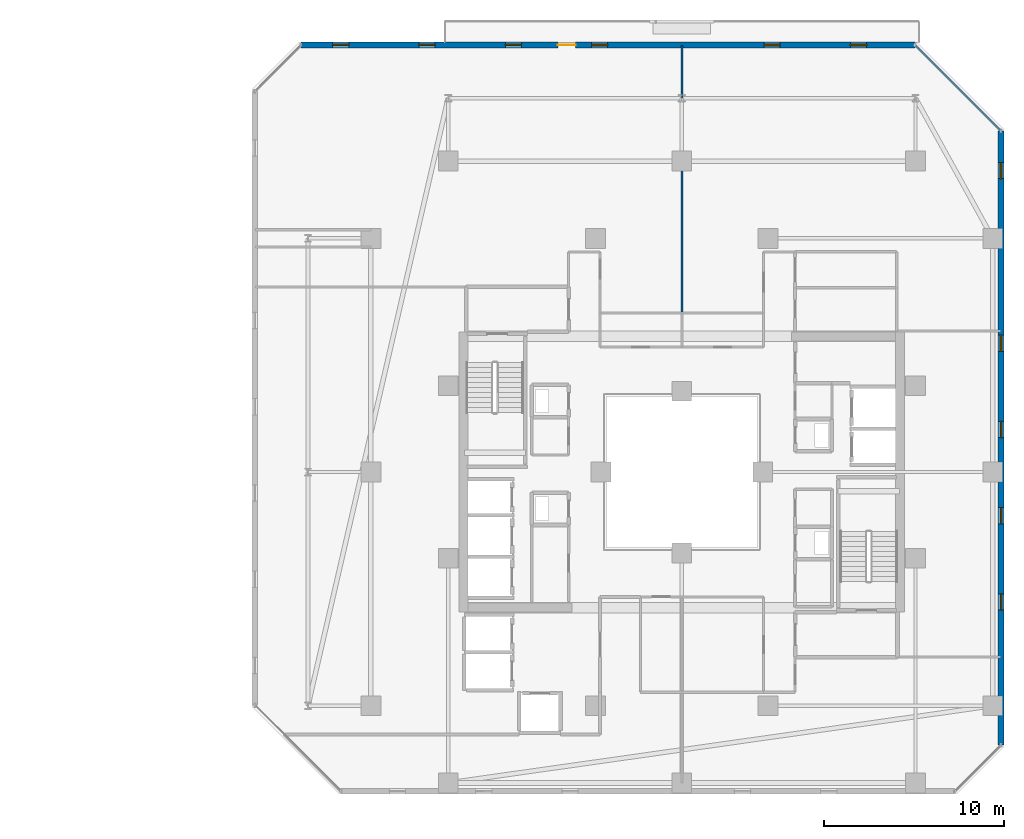
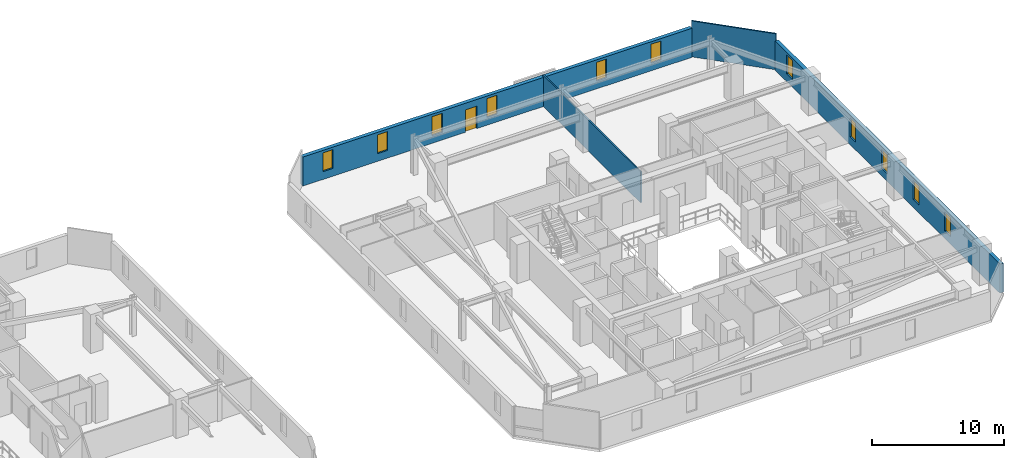
# One storey, part 26 of 33: 11 windows, 4 walls, 1 door, 12 openings.
"""IFC4 building model written with IfcOpenShell, lengths in metres."""

from ifc_helpers import new_model, si_unit, direction, frame, frame_2d, origin, place, context, subcontext, project, spatial, rectangle, extrude, material, layer, layer_set, type_object, element, fill, save


model = new_model("IFC4")

# Units and contexts
model_context = context("Model", 3, precision=1e-05, world=origin(), true_north=direction((0.0, 1.0)))
body_context = subcontext(model_context, "Body", "Model", "MODEL_VIEW")
ifc_project = project(units=[si_unit("LENGTHUNIT", "METRE"), si_unit("AREAUNIT", "SQUARE_METRE"), si_unit("VOLUMEUNIT", "CUBIC_METRE"), si_unit("PLANEANGLEUNIT", "RADIAN"), si_unit("MASSUNIT", "GRAM", prefix="KILO")], contexts=[model_context])

# Site, building, storey
site_placement = place(None, origin())
site = spatial("IfcSite", under=ifc_project, at=site_placement, CompositionType="ELEMENT")
building_placement = place(site_placement, origin())
building = spatial("IfcBuilding", under=site, at=building_placement, Name="Thornwick Lancets Civic Towers", CompositionType="ELEMENT")
storey_placement = place(building_placement, frame((0.0, 0.0, 192.89990234375)))
storey = spatial("IfcBuildingStorey", under=building, at=storey_placement, Name="L51", CompositionType="ELEMENT", Elevation=192.89990234375)

# Wall, openings, windows
ifc_material_1 = material(Name="Insulated buff terracotta rainscreen on concrete C40/50", Category="masonry")
ifc_layer_1 = layer(ifc_material_1, 0.320068359375, Name="Insulated buff terracotta rainscreen on concrete C40/50")
ifc_layer_set_1 = layer_set([ifc_layer_1], Name="Insulated buff terracotta rainscreen on concrete C40/50")
wall_type_1 = type_object("IfcWallType", Name="WALL_EXT_TERRA_320", PredefinedType="STANDARD", material=ifc_layer_set_1)
wall_1_placement = place(storey_placement, frame((106.2646484375, 11.818603515625, 0.0), z_axis=(0.0, 0.0, 1.0), x_axis=(-0.000214431216, 0.99999997701, 0.0)))
wall_1 = element("IfcWall", 1, at=wall_1_placement, inside=storey, type_object=wall_type_1, Name="L51 Tower B Terracotta Facade Wall E2", PredefinedType="STANDARD", context=body_context, shape_type="SweptSolid", body=[
    extrude(rectangle(XDim=34.156494140625, YDim=0.320068359375, at=frame_2d((17.078125, 0.0))), origin(), (0.0, 0.0, 1.0), 2.7001953125),
])
opening_1_placement = place(wall_1_placement, frame((7.5, 0.0, 0.719970703125)))
opening_1 = element("IfcOpeningElement", 2, at=opening_1_placement, cuts=wall_1, Name="Opening WL-01", PredefinedType="OPENING", context=body_context, shape_type="SweptSolid", body=[
    extrude(rectangle(XDim=0.89990234375, YDim=1.75, at=frame_2d((0.449951171875, 0.875))), frame((0.0, 0.169921875, 0.0), z_axis=(0.0, -1.0, 0.0), x_axis=(1.0, 0.0, 0.0)), (0.0, 0.0, 1.0), 0.340087890625),
])
opening_2_placement = place(wall_1_placement, frame((12.300048828125, 0.0, 0.719970703125)))
opening_2 = element("IfcOpeningElement", 3, at=opening_2_placement, cuts=wall_1, Name="Opening WL-01", PredefinedType="OPENING", context=body_context, shape_type="SweptSolid", body=[
    extrude(rectangle(XDim=0.89990234375, YDim=1.75, at=frame_2d((0.449951171875, 0.875))), frame((0.0, 0.169921875, 0.0), z_axis=(0.0, -1.0, 0.0), x_axis=(1.0, 0.0, 0.0)), (0.0, 0.0, 1.0), 0.340087890625),
])
opening_3_placement = place(wall_1_placement, frame((17.10009765625, 0.0, 0.719970703125)))
opening_3 = element("IfcOpeningElement", 4, at=opening_3_placement, cuts=wall_1, Name="Opening WL-01", PredefinedType="OPENING", context=body_context, shape_type="SweptSolid", body=[
    extrude(rectangle(XDim=0.89990234375, YDim=1.75, at=frame_2d((0.449951171875, 0.875))), frame((0.0, 0.169921875, 0.0), z_axis=(0.0, -1.0, 0.0), x_axis=(1.0, 0.0, 0.0)), (0.0, 0.0, 1.0), 0.340087890625),
])
opening_4_placement = place(wall_1_placement, frame((21.89990234375, 0.0, 0.719970703125)))
opening_4 = element("IfcOpeningElement", 5, at=opening_4_placement, cuts=wall_1, Name="Opening WL-01", PredefinedType="OPENING", context=body_context, shape_type="SweptSolid", body=[
    extrude(rectangle(XDim=0.89990234375, YDim=1.75, at=frame_2d((0.449951171875, 0.875))), frame((0.0, 0.169921875, 0.0), z_axis=(0.0, -1.0, 0.0), x_axis=(1.0, 0.0, 0.0)), (0.0, 0.0, 1.0), 0.340087890625),
])
opening_5_placement = place(wall_1_placement, frame((31.5, 0.0, 0.719970703125)))
opening_5 = element("IfcOpeningElement", 6, at=opening_5_placement, cuts=wall_1, Name="Opening WL-01", PredefinedType="OPENING", context=body_context, shape_type="SweptSolid", body=[
    extrude(rectangle(XDim=0.89990234375, YDim=1.75, at=frame_2d((0.449951171875, 0.875))), frame((0.0, 0.169921875, 0.0), z_axis=(0.0, -1.0, 0.0), x_axis=(1.0, 0.0, 0.0)), (0.0, 0.0, 1.0), 0.340087890625),
])
ifc_material_2 = material(Name="Clear low-e double glazing in bronze frame", Category="glass")
window_type = type_object("IfcWindowType", Name="WIN_LANCET_900", PartitioningType="SINGLE_PANEL", PredefinedType="WINDOW", material=ifc_material_2)
window_1_placement = place(opening_1_placement, origin())
window_1 = element("IfcWindow", 7, at=window_1_placement, inside=storey, type_object=window_type, Name="L51 Tower B Staggered Lancet Window E2-1", OverallHeight=1.75, OverallWidth=0.89990234375, PartitioningType="SINGLE_PANEL", PredefinedType="WINDOW", context=body_context, shape_type="SweptSolid", body=[
    extrude(rectangle(XDim=0.89990234375, YDim=1.75, at=frame_2d((0.449951171875, 0.875))), frame((0.0, 0.030029296875, 0.0), z_axis=(0.0, -1.0, 0.0), x_axis=(1.0, 0.0, 0.0)), (0.0, 0.0, 1.0), 0.06005859375),
])
fill(opening_1, window_1)
window_2_placement = place(opening_2_placement, origin())
window_2 = element("IfcWindow", 8, at=window_2_placement, inside=storey, type_object=window_type, Name="L51 Tower B Staggered Lancet Window E2-2", OverallHeight=1.75, OverallWidth=0.89990234375, PartitioningType="SINGLE_PANEL", PredefinedType="WINDOW", context=body_context, shape_type="SweptSolid", body=[
    extrude(rectangle(XDim=0.89990234375, YDim=1.75, at=frame_2d((0.449951171875, 0.875))), frame((0.0, 0.030029296875, 0.0), z_axis=(0.0, -1.0, 0.0), x_axis=(1.0, 0.0, 0.0)), (0.0, 0.0, 1.0), 0.06005859375),
])
fill(opening_2, window_2)
window_3_placement = place(opening_3_placement, origin())
window_3 = element("IfcWindow", 9, at=window_3_placement, inside=storey, type_object=window_type, Name="L51 Tower B Staggered Lancet Window E2-3", OverallHeight=1.75, OverallWidth=0.89990234375, PartitioningType="SINGLE_PANEL", PredefinedType="WINDOW", context=body_context, shape_type="SweptSolid", body=[
    extrude(rectangle(XDim=0.89990234375, YDim=1.75, at=frame_2d((0.449951171875, 0.875))), frame((0.0, 0.030029296875, 0.0), z_axis=(0.0, -1.0, 0.0), x_axis=(1.0, 0.0, 0.0)), (0.0, 0.0, 1.0), 0.06005859375),
])
fill(opening_3, window_3)
window_4_placement = place(opening_4_placement, origin())
window_4 = element("IfcWindow", 10, at=window_4_placement, inside=storey, type_object=window_type, Name="L51 Tower B Staggered Lancet Window E2-4", OverallHeight=1.75, OverallWidth=0.89990234375, PartitioningType="SINGLE_PANEL", PredefinedType="WINDOW", context=body_context, shape_type="SweptSolid", body=[
    extrude(rectangle(XDim=0.89990234375, YDim=1.75, at=frame_2d((0.449951171875, 0.875))), frame((0.0, 0.030029296875, 0.0), z_axis=(0.0, -1.0, 0.0), x_axis=(1.0, 0.0, 0.0)), (0.0, 0.0, 1.0), 0.06005859375),
])
fill(opening_4, window_4)
window_5_placement = place(opening_5_placement, origin())
window_5 = element("IfcWindow", 11, at=window_5_placement, inside=storey, type_object=window_type, Name="L51 Tower B Staggered Lancet Window E2-5", OverallHeight=1.75, OverallWidth=0.89990234375, PartitioningType="SINGLE_PANEL", PredefinedType="WINDOW", context=body_context, shape_type="SweptSolid", body=[
    extrude(rectangle(XDim=0.89990234375, YDim=1.75, at=frame_2d((0.449951171875, 0.875))), frame((0.0, 0.030029296875, 0.0), z_axis=(0.0, -1.0, 0.0), x_axis=(1.0, 0.0, 0.0)), (0.0, 0.0, 1.0), 0.06005859375),
])
fill(opening_5, window_5)

# Wall, openings, door, windows
wall_2_placement = place(storey_placement, frame((101.47509765625, 50.75732421875, 0.0), z_axis=(0.0, 0.0, 1.0), x_axis=(-0.99999997701, 0.000214431216, 0.0)))
wall_2 = element("IfcWall", 12, at=wall_2_placement, inside=storey, type_object=wall_type_1, Name="L51 Tower B Terracotta Facade Wall E4", PredefinedType="STANDARD", context=body_context, shape_type="SweptSolid", body=[
    extrude(rectangle(XDim=34.156494140625, YDim=0.320068359375, at=frame_2d((17.078125, 0.0))), origin(), (0.0, 0.0, 1.0), 2.7001953125),
])
opening_6_placement = place(wall_2_placement, frame((18.87841796875, 0.0, 0.0)))
opening_6 = element("IfcOpeningElement", 13, at=opening_6_placement, cuts=wall_2, Name="Opening D-BL-L51-BN", PredefinedType="OPENING", context=body_context, shape_type="SweptSolid", body=[
    extrude(rectangle(XDim=1.0, YDim=2.080078125, at=frame_2d((0.5, 1.0400390625))), frame((0.0, 0.169921875, 0.0), z_axis=(0.0, -1.0, 0.0), x_axis=(1.0, 0.0, 0.0)), (0.0, 0.0, 1.0), 0.340087890625),
])
opening_7_placement = place(wall_2_placement, frame((2.699951171875, 0.0, 0.719970703125)))
opening_7 = element("IfcOpeningElement", 14, at=opening_7_placement, cuts=wall_2, Name="Opening WL-01", PredefinedType="OPENING", context=body_context, shape_type="SweptSolid", body=[
    extrude(rectangle(XDim=0.89990234375, YDim=1.75, at=frame_2d((0.449951171875, 0.875))), frame((0.0, 0.169921875, 0.0), z_axis=(0.0, -1.0, 0.0), x_axis=(1.0, 0.0, 0.0)), (0.0, 0.0, 1.0), 0.340087890625),
])
opening_8_placement = place(wall_2_placement, frame((7.5, 0.0, 0.719970703125)))
opening_8 = element("IfcOpeningElement", 15, at=opening_8_placement, cuts=wall_2, Name="Opening WL-01", PredefinedType="OPENING", context=body_context, shape_type="SweptSolid", body=[
    extrude(rectangle(XDim=0.89990234375, YDim=1.75, at=frame_2d((0.449951171875, 0.875))), frame((0.0, 0.169921875, 0.0), z_axis=(0.0, -1.0, 0.0), x_axis=(1.0, 0.0, 0.0)), (0.0, 0.0, 1.0), 0.340087890625),
])
opening_9_placement = place(wall_2_placement, frame((17.10009765625, 0.0, 0.719970703125)))
opening_9 = element("IfcOpeningElement", 16, at=opening_9_placement, cuts=wall_2, Name="Opening WL-01", PredefinedType="OPENING", context=body_context, shape_type="SweptSolid", body=[
    extrude(rectangle(XDim=0.89990234375, YDim=1.75, at=frame_2d((0.449951171875, 0.875))), frame((0.0, 0.169921875, 0.0), z_axis=(0.0, -1.0, 0.0), x_axis=(1.0, 0.0, 0.0)), (0.0, 0.0, 1.0), 0.340087890625),
])
opening_10_placement = place(wall_2_placement, frame((21.89990234375, 0.0, 0.719970703125)))
opening_10 = element("IfcOpeningElement", 17, at=opening_10_placement, cuts=wall_2, Name="Opening WL-01", PredefinedType="OPENING", context=body_context, shape_type="SweptSolid", body=[
    extrude(rectangle(XDim=0.89990234375, YDim=1.75, at=frame_2d((0.449951171875, 0.875))), frame((0.0, 0.169921875, 0.0), z_axis=(0.0, -1.0, 0.0), x_axis=(1.0, 0.0, 0.0)), (0.0, 0.0, 1.0), 0.340087890625),
])
opening_11_placement = place(wall_2_placement, frame((26.699951171875, 0.0, 0.719970703125)))
opening_11 = element("IfcOpeningElement", 18, at=opening_11_placement, cuts=wall_2, Name="Opening WL-01", PredefinedType="OPENING", context=body_context, shape_type="SweptSolid", body=[
    extrude(rectangle(XDim=0.89990234375, YDim=1.75, at=frame_2d((0.449951171875, 0.875))), frame((0.0, 0.169921875, 0.0), z_axis=(0.0, -1.0, 0.0), x_axis=(1.0, 0.0, 0.0)), (0.0, 0.0, 1.0), 0.340087890625),
])
opening_12_placement = place(wall_2_placement, frame((31.5, 0.0, 0.719970703125)))
opening_12 = element("IfcOpeningElement", 19, at=opening_12_placement, cuts=wall_2, Name="Opening WL-01", PredefinedType="OPENING", context=body_context, shape_type="SweptSolid", body=[
    extrude(rectangle(XDim=0.89990234375, YDim=1.75, at=frame_2d((0.449951171875, 0.875))), frame((0.0, 0.169921875, 0.0), z_axis=(0.0, -1.0, 0.0), x_axis=(1.0, 0.0, 0.0)), (0.0, 0.0, 1.0), 0.340087890625),
])
ifc_material_3 = material(Name="Thermally broken glazed loggia doorset")
door_type = type_object("IfcDoorType", Name="DOOR_BALC_1000", OperationType="NOTDEFINED", PredefinedType="DOOR", material=ifc_material_3)
door_placement = place(opening_6_placement, origin())
door = element("IfcDoor", 20, at=door_placement, inside=storey, type_object=door_type, Name="L51 Tower B Loggia Balcony Door N", OperationType="SINGLE_SWING_RIGHT", OverallHeight=2.080078125, OverallWidth=1.0, PredefinedType="DOOR", context=body_context, shape_type="SweptSolid", body=[
    extrude(rectangle(XDim=1.0, YDim=2.080078125, at=frame_2d((0.5, 1.0400390625))), frame((0.0, 0.02490234375, 0.0), z_axis=(0.0, -1.0, 0.0), x_axis=(1.0, 0.0, 0.0)), (0.0, 0.0, 1.0), 0.050048828125),
])
fill(opening_6, door)
window_6_placement = place(opening_7_placement, origin())
window_6 = element("IfcWindow", 21, at=window_6_placement, inside=storey, type_object=window_type, Name="L51 Tower B Staggered Lancet Window E4-1", OverallHeight=1.75, OverallWidth=0.89990234375, PartitioningType="SINGLE_PANEL", PredefinedType="WINDOW", context=body_context, shape_type="SweptSolid", body=[
    extrude(rectangle(XDim=0.89990234375, YDim=1.75, at=frame_2d((0.449951171875, 0.875))), frame((0.0, 0.030029296875, 0.0), z_axis=(0.0, -1.0, 0.0), x_axis=(1.0, 0.0, 0.0)), (0.0, 0.0, 1.0), 0.06005859375),
])
fill(opening_7, window_6)
window_7_placement = place(opening_8_placement, origin())
window_7 = element("IfcWindow", 22, at=window_7_placement, inside=storey, type_object=window_type, Name="L51 Tower B Staggered Lancet Window E4-2", OverallHeight=1.75, OverallWidth=0.89990234375, PartitioningType="SINGLE_PANEL", PredefinedType="WINDOW", context=body_context, shape_type="SweptSolid", body=[
    extrude(rectangle(XDim=0.89990234375, YDim=1.75, at=frame_2d((0.449951171875, 0.875))), frame((0.0, 0.030029296875, 0.0), z_axis=(0.0, -1.0, 0.0), x_axis=(1.0, 0.0, 0.0)), (0.0, 0.0, 1.0), 0.06005859375),
])
fill(opening_8, window_7)
window_8_placement = place(opening_9_placement, origin())
window_8 = element("IfcWindow", 23, at=window_8_placement, inside=storey, type_object=window_type, Name="L51 Tower B Staggered Lancet Window E4-3", OverallHeight=1.75, OverallWidth=0.89990234375, PartitioningType="SINGLE_PANEL", PredefinedType="WINDOW", context=body_context, shape_type="SweptSolid", body=[
    extrude(rectangle(XDim=0.89990234375, YDim=1.75, at=frame_2d((0.449951171875, 0.875))), frame((0.0, 0.030029296875, 0.0), z_axis=(0.0, -1.0, 0.0), x_axis=(1.0, 0.0, 0.0)), (0.0, 0.0, 1.0), 0.06005859375),
])
fill(opening_9, window_8)
window_9_placement = place(opening_10_placement, origin())
window_9 = element("IfcWindow", 24, at=window_9_placement, inside=storey, type_object=window_type, Name="L51 Tower B Staggered Lancet Window E4-4", OverallHeight=1.75, OverallWidth=0.89990234375, PartitioningType="SINGLE_PANEL", PredefinedType="WINDOW", context=body_context, shape_type="SweptSolid", body=[
    extrude(rectangle(XDim=0.89990234375, YDim=1.75, at=frame_2d((0.449951171875, 0.875))), frame((0.0, 0.030029296875, 0.0), z_axis=(0.0, -1.0, 0.0), x_axis=(1.0, 0.0, 0.0)), (0.0, 0.0, 1.0), 0.06005859375),
])
fill(opening_10, window_9)
window_10_placement = place(opening_11_placement, origin())
window_10 = element("IfcWindow", 25, at=window_10_placement, inside=storey, type_object=window_type, Name="L51 Tower B Staggered Lancet Window E4-5", OverallHeight=1.75, OverallWidth=0.89990234375, PartitioningType="SINGLE_PANEL", PredefinedType="WINDOW", context=body_context, shape_type="SweptSolid", body=[
    extrude(rectangle(XDim=0.89990234375, YDim=1.75, at=frame_2d((0.449951171875, 0.875))), frame((0.0, 0.030029296875, 0.0), z_axis=(0.0, -1.0, 0.0), x_axis=(1.0, 0.0, 0.0)), (0.0, 0.0, 1.0), 0.06005859375),
])
fill(opening_11, window_10)
window_11_placement = place(opening_12_placement, origin())
window_11 = element("IfcWindow", 26, at=window_11_placement, inside=storey, type_object=window_type, Name="L51 Tower B Staggered Lancet Window E4-6", OverallHeight=1.75, OverallWidth=0.89990234375, PartitioningType="SINGLE_PANEL", PredefinedType="WINDOW", context=body_context, shape_type="SweptSolid", body=[
    extrude(rectangle(XDim=0.89990234375, YDim=1.75, at=frame_2d((0.449951171875, 0.875))), frame((0.0, 0.030029296875, 0.0), z_axis=(0.0, -1.0, 0.0), x_axis=(1.0, 0.0, 0.0)), (0.0, 0.0, 1.0), 0.06005859375),
])
fill(opening_12, window_11)

# Walls
ifc_material_4 = material(Name="Acoustic gypsum board partition")
ifc_layer_2 = layer(ifc_material_4, 0.1201171875, Name="Acoustic gypsum board partition")
ifc_layer_set_2 = layer_set([ifc_layer_2], Name="Acoustic gypsum board partition")
wall_type_2 = type_object("IfcWallType", Name="WALL_PART_120", PredefinedType="PARTITIONING", material=ifc_layer_set_2)
wall_3_placement = place(storey_placement, frame((88.5, 35.85009765625, 0.0), z_axis=(0.0, 0.0, 1.0), x_axis=(0.0, 1.0, 0.0)))
element("IfcWall", 27, at=wall_3_placement, inside=storey, type_object=wall_type_2, Name="L51 Partition L51-B-E2 E7", PredefinedType="PARTITIONING", context=body_context, shape_type="SweptSolid", body=[
    extrude(rectangle(XDim=14.869873046875, YDim=0.1201171875, at=frame_2d((7.43505859375, 0.0))), origin(), (0.0, 0.0, 1.0), 2.881591796875),
])
wall_4_placement = place(storey_placement, frame((101.510498046875, 50.719970703125, 0.0), z_axis=(0.0, 0.0, 1.0), x_axis=(0.707106781187, -0.707106781187, 0.0)))
element("IfcWall", 28, at=wall_4_placement, inside=storey, type_object=wall_type_2, Name="L51 Partition L51-B-E2 E9", PredefinedType="PARTITIONING", context=body_context, shape_type="SweptSolid", body=[
    extrude(rectangle(XDim=6.66015625, YDim=0.1201171875, at=frame_2d((3.330078125, 0.0))), origin(), (0.0, 0.0, 1.0), 3.340087890625),
])

save(model, "model.ifc")
